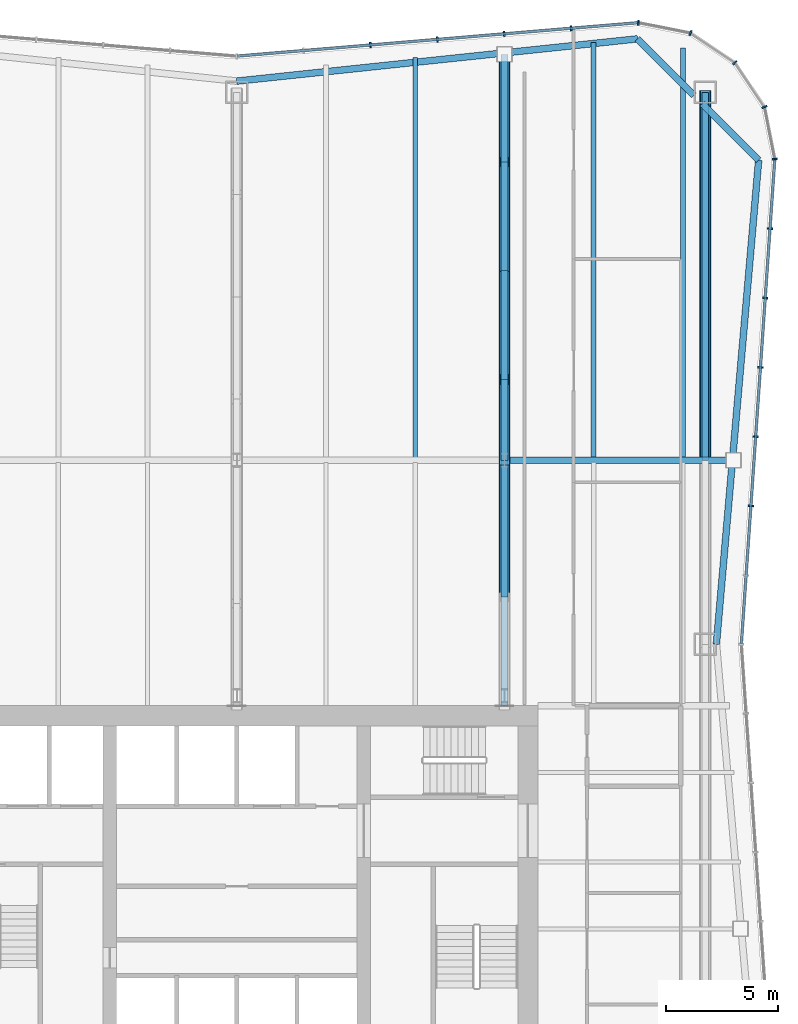
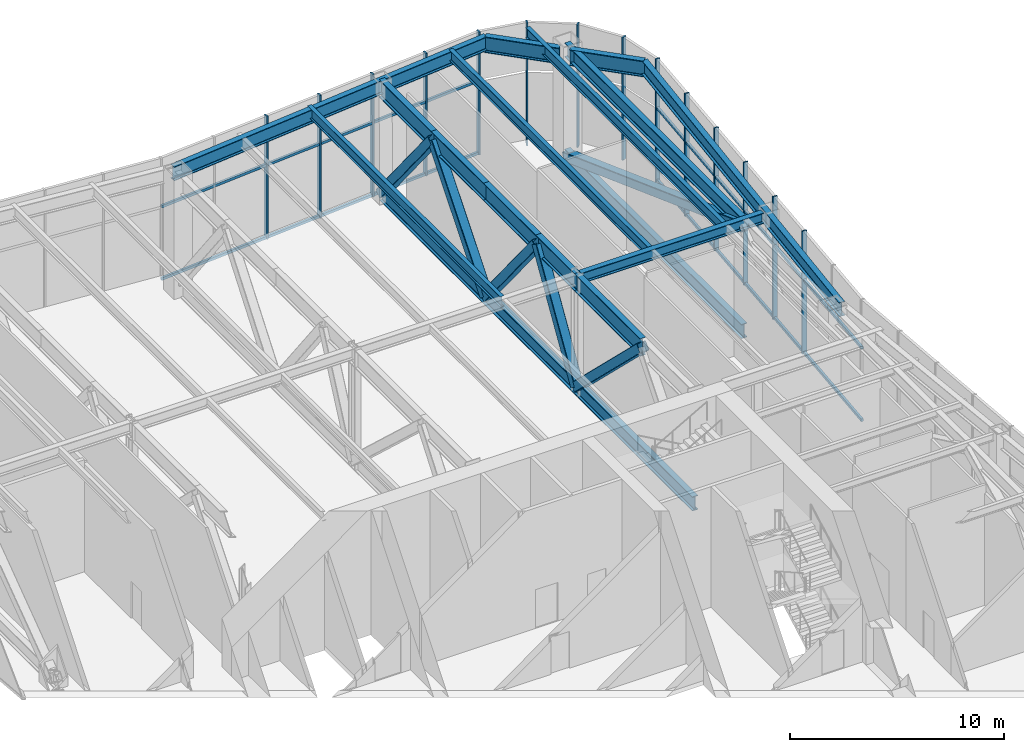
# One storey, part 6 of 14: 32 members, 8 beams, 3 elements without a shape of their own.
"""IFC4 building model written with IfcOpenShell, lengths in metres."""

from ifc_helpers import new_model, si_unit, direction, frame, origin, origin_2d, place, context, subcontext, project, spatial, rectangle, hollow_rectangle, i_section, extrude, material, material_profile, profile_set, type_object, element, aggregate, save


model = new_model("IFC4")

# Units and contexts
model_context = context("Model", 3, precision=1e-05, world=origin(), true_north=direction((0.0, 1.0)))
body_context = subcontext(model_context, "Body", "Model", "MODEL_VIEW")
ifc_project = project(units=[si_unit("LENGTHUNIT", "METRE"), si_unit("AREAUNIT", "SQUARE_METRE"), si_unit("VOLUMEUNIT", "CUBIC_METRE"), si_unit("PLANEANGLEUNIT", "RADIAN"), si_unit("MASSUNIT", "GRAM", prefix="KILO")], contexts=[model_context])

# Site, building, storey
site_placement = place(None, origin())
site = spatial("IfcSite", under=ifc_project, at=site_placement, CompositionType="ELEMENT")
building_placement = place(site_placement, origin())
building = spatial("IfcBuilding", under=site, at=building_placement, Name="Verdant Reach Tower", CompositionType="ELEMENT")
storey_placement = place(building_placement, frame((0.0, 0.0, 226.0)))
storey = spatial("IfcBuildingStorey", under=building, at=storey_placement, Name="L52 Plant", CompositionType="ELEMENT", Elevation=226.0)

# Curtain wall, members
ifc_material_1 = material(Name="Anodised aluminium", Category="aluminium")
curtain_wall_type = type_object("IfcCurtainWallType", Name="EN-CW SYSTEM PLANT", PredefinedType="NOTDEFINED", material=ifc_material_1)
curtain_wall_1_placement = place(storey_placement, origin())
curtain_wall_1 = element("IfcCurtainWall", 1, at=curtain_wall_1_placement, inside=storey, type_object=curtain_wall_type, Name="Curtain wall east, L52", PredefinedType="NOTDEFINED")
ifc_material_profile_1 = material_profile(ifc_material_1, rectangle(XDim=0.238037109375, YDim=0.080078125, at=origin_2d()), Name="Mullion 80x240")
ifc_profile_set_1 = profile_set([ifc_material_profile_1], Name="Anodised aluminium")
member_type_1 = type_object("IfcMemberType", Name="EN-MULLION PLANT", PredefinedType="MULLION", material=ifc_profile_set_1)
member_1_placement = place(storey_placement, frame((23.04736328125, 47.4560546875, -0.35009765625), z_axis=(0.0, 0.0, 1.0), x_axis=(0.997630328423, -0.068802091615, 0.0)))
member_1 = element("IfcMember", 2, at=member_1_placement, type_object=member_type_1, Name="Mullion east face part 2 3, L52", PredefinedType="MULLION", context=body_context, shape_type="SweptSolid", body=[
    extrude(rectangle(XDim=0.238037109375, YDim=0.080078125, at=origin_2d()), origin(), (0.0, 0.0, 1.0), 7.0),
])
member_2_placement = place(storey_placement, frame((23.261474609375, 50.563232421875, -0.35009765625), z_axis=(0.0, 0.0, 1.0), x_axis=(0.997630328423, -0.068802091615, 0.0)))
member_2 = element("IfcMember", 3, at=member_2_placement, type_object=member_type_1, Name="Mullion east face part 2 4, L52", PredefinedType="MULLION", context=body_context, shape_type="SweptSolid", body=[
    extrude(rectangle(XDim=0.238037109375, YDim=0.080078125, at=origin_2d()), origin(), (0.0, 0.0, 1.0), 7.0),
])
member_3_placement = place(storey_placement, frame((23.475830078125, 53.67041015625, -0.35009765625), z_axis=(0.0, 0.0, 1.0), x_axis=(0.997630328423, -0.068802091615, 0.0)))
member_3 = element("IfcMember", 4, at=member_3_placement, type_object=member_type_1, Name="Mullion east face part 2 5, L52", PredefinedType="MULLION", context=body_context, shape_type="SweptSolid", body=[
    extrude(rectangle(XDim=0.238037109375, YDim=0.080078125, at=origin_2d()), origin(), (0.0, 0.0, 1.0), 7.0),
])
member_4_placement = place(storey_placement, frame((23.690185546875, 56.777587890625, -0.35009765625), z_axis=(0.0, 0.0, 1.0), x_axis=(0.997630328423, -0.068802091615, 0.0)))
member_4 = element("IfcMember", 5, at=member_4_placement, type_object=member_type_1, Name="Mullion east face part 2 6, L52", PredefinedType="MULLION", context=body_context, shape_type="SweptSolid", body=[
    extrude(rectangle(XDim=0.238037109375, YDim=0.080078125, at=origin_2d()), origin(), (0.0, 0.0, 1.0), 7.0),
])
member_5_placement = place(storey_placement, frame((23.904541015625, 59.884765625, -0.35009765625), z_axis=(0.0, 0.0, 1.0), x_axis=(0.997630328423, -0.068802091615, 0.0)))
member_5 = element("IfcMember", 6, at=member_5_placement, type_object=member_type_1, Name="Mullion east face part 2 7, L52", PredefinedType="MULLION", context=body_context, shape_type="SweptSolid", body=[
    extrude(rectangle(XDim=0.238037109375, YDim=0.080078125, at=origin_2d()), origin(), (0.0, 0.0, 1.0), 7.0),
])

curtain_wall_2_placement = place(storey_placement, origin())
curtain_wall_2 = element("IfcCurtainWall", 7, at=curtain_wall_2_placement, inside=storey, type_object=curtain_wall_type, Name="Curtain wall north-east corner, L52", PredefinedType="NOTDEFINED")
member_6_placement = place(storey_placement, frame((24.11865234375, 63.007568359375, -0.35009765625), z_axis=(0.0, 0.0, 1.0), x_axis=(0.997969180898, 0.063698618332, 0.0)))
member_6 = element("IfcMember", 8, at=member_6_placement, type_object=member_type_1, Name="Mullion north-east corner 1, L52", PredefinedType="MULLION", context=body_context, shape_type="SweptSolid", body=[
    extrude(rectangle(XDim=0.238037109375, YDim=0.080078125, at=origin_2d()), origin(), (0.0, 0.0, 1.0), 7.0),
])
member_7_placement = place(storey_placement, frame((23.6533203125, 65.341552734375, -0.35009765625), z_axis=(0.0, 0.0, 1.0), x_axis=(0.923875215753, 0.382693853776, 0.0)))
member_7 = element("IfcMember", 9, at=member_7_placement, type_object=member_type_1, Name="Mullion north-east corner 2, L52", PredefinedType="MULLION", context=body_context, shape_type="SweptSolid", body=[
    extrude(rectangle(XDim=0.238037109375, YDim=0.080078125, at=origin_2d()), origin(), (0.0, 0.0, 1.0), 7.0),
])
member_8_placement = place(storey_placement, frame((22.32666015625, 67.32666015625, -0.35009765625), z_axis=(0.0, 0.0, 1.0), x_axis=(0.707106781187, 0.707106781187, 0.0)))
member_8 = element("IfcMember", 10, at=member_8_placement, type_object=member_type_1, Name="Mullion north-east corner 3, L52", PredefinedType="MULLION", context=body_context, shape_type="SweptSolid", body=[
    extrude(rectangle(XDim=0.238037109375, YDim=0.080078125, at=origin_2d()), origin(), (0.0, 0.0, 1.0), 7.0),
])
member_9_placement = place(storey_placement, frame((20.341552734375, 68.6533203125, -0.35009765625), z_axis=(0.0, 0.0, 1.0), x_axis=(0.382693853776, 0.923875215753, 0.0)))
member_9 = element("IfcMember", 11, at=member_9_placement, type_object=member_type_1, Name="Mullion north-east corner 4, L52", PredefinedType="MULLION", context=body_context, shape_type="SweptSolid", body=[
    extrude(rectangle(XDim=0.238037109375, YDim=0.080078125, at=origin_2d()), origin(), (0.0, 0.0, 1.0), 7.0),
])
aggregate(curtain_wall_2, [member_6, member_7, member_8, member_9])

curtain_wall_3_placement = place(storey_placement, origin())
curtain_wall_3 = element("IfcCurtainWall", 12, at=curtain_wall_3_placement, inside=storey, type_object=curtain_wall_type, Name="Curtain wall north, L52", PredefinedType="NOTDEFINED")
member_10_placement = place(storey_placement, frame((18.0068359375, 69.118896484375, -0.35009765625), z_axis=(0.0, 0.0, 1.0), x_axis=(0.056569187765, 0.998398681387, 0.0)))
member_10 = element("IfcMember", 13, at=member_10_placement, type_object=member_type_1, Name="Mullion north face part 1 1, L52", PredefinedType="MULLION", context=body_context, shape_type="SweptSolid", body=[
    extrude(rectangle(XDim=0.238037109375, YDim=0.080078125, at=origin_2d()), origin(), (0.0, 0.0, 1.0), 7.0),
])
member_11_placement = place(storey_placement, frame((14.990234375, 68.86865234375, -0.35009765625), z_axis=(0.0, 0.0, 1.0), x_axis=(-0.083045479859, 0.996545758244, 0.0)))
member_11 = element("IfcMember", 14, at=member_11_placement, type_object=member_type_1, Name="Mullion north face part 1 2, L52", PredefinedType="MULLION", context=body_context, shape_type="SweptSolid", body=[
    extrude(rectangle(XDim=0.238037109375, YDim=0.080078125, at=origin_2d()), origin(), (0.0, 0.0, 1.0), 7.0),
])
member_12_placement = place(storey_placement, frame((11.990234375, 68.61865234375, -0.35009765625), z_axis=(0.0, 0.0, 1.0), x_axis=(-0.083045479859, 0.996545758244, 0.0)))
member_12 = element("IfcMember", 15, at=member_12_placement, type_object=member_type_1, Name="Mullion north face part 1 3, L52", PredefinedType="MULLION", context=body_context, shape_type="SweptSolid", body=[
    extrude(rectangle(XDim=0.238037109375, YDim=0.080078125, at=origin_2d()), origin(), (0.0, 0.0, 1.0), 7.0),
])
member_13_placement = place(storey_placement, frame((8.990234375, 68.36865234375, -0.35009765625), z_axis=(0.0, 0.0, 1.0), x_axis=(-0.083045479859, 0.996545758244, 0.0)))
member_13 = element("IfcMember", 16, at=member_13_placement, type_object=member_type_1, Name="Mullion north face part 1 4, L52", PredefinedType="MULLION", context=body_context, shape_type="SweptSolid", body=[
    extrude(rectangle(XDim=0.238037109375, YDim=0.080078125, at=origin_2d()), origin(), (0.0, 0.0, 1.0), 7.0),
])
member_14_placement = place(storey_placement, frame((5.990234375, 68.11865234375, -0.35009765625), z_axis=(0.0, 0.0, 1.0), x_axis=(-0.083045479859, 0.996545758244, 0.0)))
member_14 = element("IfcMember", 17, at=member_14_placement, type_object=member_type_1, Name="Mullion north face part 1 5, L52", PredefinedType="MULLION", context=body_context, shape_type="SweptSolid", body=[
    extrude(rectangle(XDim=0.238037109375, YDim=0.080078125, at=origin_2d()), origin(), (0.0, 0.0, 1.0), 7.0),
])

# Member
ifc_material_profile_2 = material_profile(ifc_material_1, rectangle(XDim=0.1201171875, YDim=0.14990234375, at=origin_2d()), Name="Transom 150x120")
ifc_profile_set_2 = profile_set([ifc_material_profile_2], Name="Anodised aluminium")
member_type_2 = type_object("IfcMemberType", Name="EN-TRANSOM PLANT", PredefinedType="USERDEFINED", material=ifc_profile_set_2)
member_15_placement = place(storey_placement, frame((22.621826171875, 41.289794921875, -0.27490234375), z_axis=(0.068761218296, 0.997633146431, 0.0), x_axis=(-0.997633146431, 0.068761218296, 0.0)))
member_15 = element("IfcMember", 18, at=member_15_placement, type_object=member_type_2, Name="Transom east face part 2 1.1, L52", ObjectType="TRANSOM", PredefinedType="USERDEFINED", context=body_context, shape_type="SweptSolid", body=[
    extrude(rectangle(XDim=0.1201171875, YDim=0.14990234375, at=origin_2d()), origin(), (0.0, 0.0, 1.0), 21.7294921875),
])

member_16_placement = place(storey_placement, frame((22.621826171875, 41.289794921875, 3.85009765625), z_axis=(0.068761218296, 0.997633146431, 0.0), x_axis=(-0.997633146431, 0.068761218296, 0.0)))
member_16 = element("IfcMember", 19, at=member_16_placement, type_object=member_type_2, Name="Transom east face part 2 1.2, L52", ObjectType="TRANSOM", PredefinedType="USERDEFINED", context=body_context, shape_type="SweptSolid", body=[
    extrude(rectangle(XDim=0.1201171875, YDim=0.14990234375, at=origin_2d()), origin(), (0.0, 0.0, 1.0), 21.7294921875),
])

aggregate(curtain_wall_1, [member_1, member_2, member_3, member_4, member_5, member_15, member_16])

member_17_placement = place(storey_placement, frame((17.966796875, 69.115478515625, -0.27490234375), z_axis=(-0.996549220477, -0.083003922598, 0.0), x_axis=(0.083003922598, -0.996549220477, 0.0)))
member_17 = element("IfcMember", 20, at=member_17_placement, type_object=member_type_2, Name="Transom north face part 1 1.1, L52", ObjectType="TRANSOM", PredefinedType="USERDEFINED", context=body_context, shape_type="SweptSolid", body=[
    extrude(rectangle(XDim=0.1201171875, YDim=0.14990234375, at=origin_2d()), origin(), (0.0, 0.0, 1.0), 17.989013671875),
])

member_18_placement = place(storey_placement, frame((17.966796875, 69.115478515625, 3.85009765625), z_axis=(-0.996549220477, -0.083003922598, 0.0), x_axis=(0.083003922598, -0.996549220477, 0.0)))
member_18 = element("IfcMember", 21, at=member_18_placement, type_object=member_type_2, Name="Transom north face part 1 1.2, L52", ObjectType="TRANSOM", PredefinedType="USERDEFINED", context=body_context, shape_type="SweptSolid", body=[
    extrude(rectangle(XDim=0.1201171875, YDim=0.14990234375, at=origin_2d()), origin(), (0.0, 0.0, 1.0), 17.989013671875),
])

aggregate(curtain_wall_3, [member_10, member_11, member_12, member_13, member_14, member_17, member_18])

# Beams
ifc_material_2 = material(Name="Steel S355", Category="steel")
ifc_material_profile_3 = material_profile(ifc_material_2, i_section(OverallWidth=0.300048828125, OverallDepth=0.60009765625, WebThickness=0.015380859375, FlangeThickness=0.030029296875, FilletRadius=0.027099609375, at=origin_2d()), Name="HEB 600")
ifc_profile_set_3 = profile_set([ifc_material_profile_3], Name="Steel S355")
beam_type_1 = type_object("IfcBeamType", Name="ST-BEAM-HEB600", PredefinedType="BEAM", material=ifc_profile_set_3)
beam_1_placement = place(storey_placement, frame((12.152587890625, 49.5, 6.570068359375), z_axis=(1.0, 0.0, 0.0), x_axis=(0.0, 1.0, 0.0)))
element("IfcBeam", 22, at=beam_1_placement, inside=storey, type_object=beam_type_1, Name="Row girder, L52 Plant", PredefinedType="BEAM", context=body_context, shape_type="SweptSolid", body=[
    extrude(i_section(OverallWidth=0.300048828125, OverallDepth=0.60009765625, WebThickness=0.015380859375, FlangeThickness=0.030029296875, FilletRadius=0.027099609375, at=origin_2d()), origin(), (0.0, 0.0, 1.0), 9.8125),
])
ifc_material_profile_4 = material_profile(ifc_material_2, i_section(OverallWidth=0.219970703125, OverallDepth=0.60009765625, WebThickness=0.011962890625, FlangeThickness=0.01904296875, FilletRadius=0.02392578125, at=origin_2d()), Name="IPE 600")
ifc_profile_set_4 = profile_set([ifc_material_profile_4], Name="Steel S355")
beam_type_2 = type_object("IfcBeamType", Name="ST-JOIST-IPE600", PredefinedType="JOIST", material=ifc_profile_set_4)
beam_2_placement = place(storey_placement, frame((8.0, 49.60009765625, 6.570068359375), z_axis=(0.0, 1.0, 0.0), x_axis=(-1.0, 0.0, 0.0)))
element("IfcBeam", 23, at=beam_2_placement, inside=storey, type_object=beam_type_2, Name="Floor joist, L52 Plant", PredefinedType="JOIST", context=body_context, shape_type="SweptSolid", body=[
    extrude(i_section(OverallWidth=0.219970703125, OverallDepth=0.60009765625, WebThickness=0.011962890625, FlangeThickness=0.01904296875, FilletRadius=0.02392578125, at=origin_2d()), origin(), (0.0, 0.0, 1.0), 17.964599609375),
])
beam_3_placement = place(storey_placement, frame((16.0, 49.60009765625, 6.570068359375), z_axis=(0.0, 1.0, 0.0), x_axis=(-1.0, 0.0, 0.0)))
element("IfcBeam", 24, at=beam_3_placement, inside=storey, type_object=beam_type_2, Name="Floor joist, L52 Plant", PredefinedType="JOIST", context=body_context, shape_type="SweptSolid", body=[
    extrude(i_section(OverallWidth=0.219970703125, OverallDepth=0.60009765625, WebThickness=0.011962890625, FlangeThickness=0.01904296875, FilletRadius=0.02392578125, at=origin_2d()), origin(), (0.0, 0.0, 1.0), 18.631103515625),
])
beam_4_placement = place(storey_placement, frame((20.0, 49.60009765625, 6.570068359375), z_axis=(0.0, 1.0, 0.0), x_axis=(-1.0, 0.0, 0.0)))
element("IfcBeam", 25, at=beam_4_placement, inside=storey, type_object=beam_type_2, Name="Floor joist, L52 Plant", PredefinedType="JOIST", context=body_context, shape_type="SweptSolid", body=[
    extrude(i_section(OverallWidth=0.219970703125, OverallDepth=0.60009765625, WebThickness=0.011962890625, FlangeThickness=0.01904296875, FilletRadius=0.02392578125, at=origin_2d()), origin(), (0.0, 0.0, 1.0), 18.390380859375),
])
ifc_material_profile_5 = material_profile(ifc_material_2, i_section(OverallWidth=0.300048828125, OverallDepth=0.800048828125, WebThickness=0.017578125, FlangeThickness=0.032958984375, FilletRadius=0.030029296875, at=origin_2d()), Name="HEB 800")
ifc_profile_set_5 = profile_set([ifc_material_profile_5], Name="Steel S355")
beam_type_3 = type_object("IfcBeamType", Name="ST-SPANDREL-HEB800", PredefinedType="SPANDREL", material=ifc_profile_set_5)
beam_5_placement = place(storey_placement, frame((0.0, 66.5, 6.469970703125), z_axis=(0.994483067002, 0.104897232783, 0.0), x_axis=(-0.104897232783, 0.994483067002, 0.0)))
element("IfcBeam", 26, at=beam_5_placement, inside=storey, type_object=beam_type_3, Name="Edge beam, L52 Plant", PredefinedType="SPANDREL", context=body_context, shape_type="SweptSolid", body=[
    extrude(i_section(OverallWidth=0.300048828125, OverallDepth=0.800048828125, WebThickness=0.017578125, FlangeThickness=0.032958984375, FilletRadius=0.030029296875, at=origin_2d()), origin(), (0.0, 0.0, 1.0), 18.0654296875),
])
beam_6_placement = place(storey_placement, frame((23.39599609375, 62.96142578125, 6.469970703125), z_axis=(-0.086996024331, -0.996208658741, 0.0), x_axis=(0.996208658741, -0.086996024331, 0.0)))
element("IfcBeam", 27, at=beam_6_placement, inside=storey, type_object=beam_type_3, Name="Edge beam, L52 Plant", PredefinedType="SPANDREL", context=body_context, shape_type="SweptSolid", body=[
    extrude(i_section(OverallWidth=0.300048828125, OverallDepth=0.800048828125, WebThickness=0.017578125, FlangeThickness=0.032958984375, FilletRadius=0.030029296875, at=origin_2d()), origin(), (0.0, 0.0, 1.0), 21.7939453125),
])
ifc_material_profile_6 = material_profile(ifc_material_2, i_section(OverallWidth=0.302001953125, OverallDepth=0.909912109375, WebThickness=0.02099609375, FlangeThickness=0.0400390625, FilletRadius=0.030029296875, at=origin_2d()), Name="HEM 900")
ifc_profile_set_6 = profile_set([ifc_material_profile_6], Name="Steel S355")
beam_type_4 = type_object("IfcBeamType", Name="ST-SPANDREL-HEM900", PredefinedType="SPANDREL", material=ifc_profile_set_6)
beam_7_placement = place(storey_placement, frame((17.9658203125, 68.39501953125, 6.4150390625), z_axis=(0.706868394255, -0.707345087777, 0.0), x_axis=(0.707345087777, 0.706868394255, 0.0)))
element("IfcBeam", 28, at=beam_7_placement, inside=storey, type_object=beam_type_4, Name="Edge beam, L52 Plant", PredefinedType="SPANDREL", context=body_context, shape_type="SweptSolid", body=[
    extrude(i_section(OverallWidth=0.302001953125, OverallDepth=0.909912109375, WebThickness=0.02099609375, FlangeThickness=0.0400390625, FilletRadius=0.030029296875, at=origin_2d()), origin(), (0.0, 0.0, 1.0), 3.5849609375),
])
beam_8_placement = place(storey_placement, frame((20.85888671875, 65.5, 6.4150390625), z_axis=(0.706902680526, -0.707310822952, 0.0), x_axis=(0.707310822952, 0.706902680526, 0.0)))
element("IfcBeam", 29, at=beam_8_placement, inside=storey, type_object=beam_type_4, Name="Edge beam, L52 Plant", PredefinedType="SPANDREL", context=body_context, shape_type="SweptSolid", body=[
    extrude(i_section(OverallWidth=0.302001953125, OverallDepth=0.909912109375, WebThickness=0.02099609375, FlangeThickness=0.0400390625, FilletRadius=0.030029296875, at=origin_2d()), origin(), (0.0, 0.0, 1.0), 3.589111328125),
])

# Members
ifc_material_3 = material(Name="Steel S460", Category="steel")
ifc_material_profile_7 = material_profile(ifc_material_3, hollow_rectangle(XDim=0.5, YDim=0.5, WallThickness=0.02490234375, InnerFilletRadius=0.02490234375, OuterFilletRadius=0.050048828125, at=origin_2d()), Name="RHS 500x500x25")
ifc_profile_set_7 = profile_set([ifc_material_profile_7], Name="Steel S460")
member_type_3 = type_object("IfcMemberType", Name="ST-TRUSS-BRACE-RHS500x500x25", PredefinedType="BRACE", material=ifc_profile_set_7)
member_19_placement = place(storey_placement, frame((12.0, 43.374755859375, 6.365966796875), z_axis=(0.0, 0.716767609279, -0.69731212114), x_axis=(-1.0, 0.0, 0.0)))
element("IfcMember", 30, at=member_19_placement, inside=storey, type_object=member_type_3, Name="Belt truss E north, diagonal, L52 Plant", PredefinedType="BRACE", context=body_context, shape_type="SweptSolid", body=[
    extrude(hollow_rectangle(XDim=0.5, YDim=0.5, WallThickness=0.02490234375, InnerFilletRadius=0.02490234375, OuterFilletRadius=0.050048828125, at=origin_2d()), origin(), (0.0, 0.0, 1.0), 8.545654296875),
])
member_20_placement = place(storey_placement, frame((12.0, 49.5, 0.406982421875), z_axis=(0.0, 0.519664861187, 0.854370196137), x_axis=(-1.0, 0.0, 0.0)))
element("IfcMember", 31, at=member_20_placement, inside=storey, type_object=member_type_3, Name="Belt truss E north, diagonal, L52 Plant", PredefinedType="BRACE", context=body_context, shape_type="SweptSolid", body=[
    extrude(hollow_rectangle(XDim=0.5, YDim=0.5, WallThickness=0.02490234375, InnerFilletRadius=0.02490234375, OuterFilletRadius=0.050048828125, at=origin_2d()), origin(), (0.0, 0.0, 1.0), 6.974609375),
])
member_21_placement = place(storey_placement, frame((12.0, 53.12451171875, 6.365966796875), z_axis=(0.0, 0.630640504827, -0.776075095382), x_axis=(-1.0, 0.0, 0.0)))
element("IfcMember", 32, at=member_21_placement, inside=storey, type_object=member_type_3, Name="Belt truss E north, diagonal, L52 Plant", PredefinedType="BRACE", context=body_context, shape_type="SweptSolid", body=[
    extrude(hollow_rectangle(XDim=0.5, YDim=0.5, WallThickness=0.02490234375, InnerFilletRadius=0.02490234375, OuterFilletRadius=0.050048828125, at=origin_2d()), origin(), (0.0, 0.0, 1.0), 7.678466796875),
])
member_22_placement = place(storey_placement, frame((12.0, 57.966796875, 0.406982421875), z_axis=(0.0, 0.635693950047, 0.771941190684), x_axis=(-1.0, 0.0, 0.0)))
element("IfcMember", 33, at=member_22_placement, inside=storey, type_object=member_type_3, Name="Belt truss E north, diagonal, L52 Plant", PredefinedType="BRACE", context=body_context, shape_type="SweptSolid", body=[
    extrude(hollow_rectangle(XDim=0.5, YDim=0.5, WallThickness=0.02490234375, InnerFilletRadius=0.02490234375, OuterFilletRadius=0.050048828125, at=origin_2d()), origin(), (0.0, 0.0, 1.0), 7.719482421875),
])
member_23_placement = place(storey_placement, frame((12.0, 62.8740234375, 6.365966796875), z_axis=(0.0, 0.629374063131, -0.777102495594), x_axis=(-1.0, 0.0, 0.0)))
element("IfcMember", 34, at=member_23_placement, inside=storey, type_object=member_type_3, Name="Belt truss E north, diagonal, L52 Plant", PredefinedType="BRACE", context=body_context, shape_type="SweptSolid", body=[
    extrude(hollow_rectangle(XDim=0.5, YDim=0.5, WallThickness=0.02490234375, InnerFilletRadius=0.02490234375, OuterFilletRadius=0.050048828125, at=origin_2d()), origin(), (0.0, 0.0, 1.0), 7.668212890625),
])
member_24_placement = place(storey_placement, frame((21.0, 49.5, 6.462890625), z_axis=(0.0, 0.93876762212, -0.344550942038), x_axis=(-1.0, 0.0, 0.0)))
element("IfcMember", 35, at=member_24_placement, inside=storey, type_object=member_type_3, Name="Belt truss F east, diagonal, L52 Plant", PredefinedType="BRACE", context=body_context, shape_type="SweptSolid", body=[
    extrude(hollow_rectangle(XDim=0.5, YDim=0.5, WallThickness=0.02490234375, InnerFilletRadius=0.02490234375, OuterFilletRadius=0.050048828125, at=origin_2d()), origin(), (0.0, 0.0, 1.0), 17.576171875),
])
ifc_material_profile_8 = material_profile(ifc_material_3, i_section(OverallWidth=0.302001953125, OverallDepth=1.008056640625, WebThickness=0.02099609375, FlangeThickness=0.0400390625, FilletRadius=0.030029296875, at=origin_2d()), Name="HEM 1000")
ifc_profile_set_8 = profile_set([ifc_material_profile_8], Name="Steel S460")
member_type_4 = type_object("IfcMemberType", Name="ST-TRUSS-CHORD-HEM1000", PredefinedType="CHORD", material=ifc_profile_set_8)
member_25_placement = place(storey_placement, frame((12.0, 43.374755859375, 6.365966796875), z_axis=(0.0, 1.0, 0.0), x_axis=(-1.0, 0.0, 0.0)))
element("IfcMember", 36, at=member_25_placement, inside=storey, type_object=member_type_4, Name="Belt truss E north, top chord, L52 Plant", PredefinedType="CHORD", context=body_context, shape_type="SweptSolid", body=[
    extrude(i_section(OverallWidth=0.302001953125, OverallDepth=1.008056640625, WebThickness=0.02099609375, FlangeThickness=0.0400390625, FilletRadius=0.030029296875, at=origin_2d()), origin(), (0.0, 0.0, 1.0), 6.125244140625),
])
member_26_placement = place(storey_placement, frame((12.0, 49.5, 6.365966796875), z_axis=(0.0, 1.0, 0.0), x_axis=(-1.0, 0.0, 0.0)))
element("IfcMember", 37, at=member_26_placement, inside=storey, type_object=member_type_4, Name="Belt truss E north, top chord, L52 Plant", PredefinedType="CHORD", context=body_context, shape_type="SweptSolid", body=[
    extrude(i_section(OverallWidth=0.302001953125, OverallDepth=1.008056640625, WebThickness=0.02099609375, FlangeThickness=0.0400390625, FilletRadius=0.030029296875, at=origin_2d()), origin(), (0.0, 0.0, 1.0), 3.62451171875),
])
for number, where, z_axis, x_axis, name in (
    (38, (12.0, 53.12451171875, 6.365966796875), (0.0, 1.0, 0.0), (-1.0, 0.0, 0.0), "Belt truss E north, top chord, L52 Plant"),
    (39, (12.0, 57.999267578125, 6.365966796875), (0.0, 1.0, 0.0), (-1.0, 0.0, 0.0), "Belt truss E north, top chord, L52 Plant"),
    (40, (12.0, 62.8740234375, 6.365966796875), (0.0, 1.0, 0.0), (-1.0, 0.0, 0.0), "Belt truss E north, top chord, L52 Plant"),
):
    element("IfcMember", number, at=place(storey_placement, frame(where, z_axis=z_axis, x_axis=x_axis)), inside=storey, type_object=member_type_4, Name=name, PredefinedType="CHORD", context=body_context, shape_type="SweptSolid", body=[
        extrude(i_section(OverallWidth=0.302001953125, OverallDepth=1.008056640625, WebThickness=0.02099609375, FlangeThickness=0.0400390625, FilletRadius=0.030029296875, at=origin_2d()), origin(), (0.0, 0.0, 1.0), 4.874755859375),
    ])
ifc_material_profile_9 = material_profile(ifc_material_3, i_section(OverallWidth=0.302978515625, OverallDepth=0.81396484375, WebThickness=0.02099609375, FlangeThickness=0.0400390625, FilletRadius=0.030029296875, at=origin_2d()), Name="HEM 800")
ifc_profile_set_9 = profile_set([ifc_material_profile_9], Name="Steel S460")
member_type_5 = type_object("IfcMemberType", Name="ST-TRUSS-CHORD-HEM800", PredefinedType="CHORD", material=ifc_profile_set_9)
member_27_placement = place(storey_placement, frame((12.0, 38.5, 0.406982421875), z_axis=(0.0, 1.0, 0.0), x_axis=(-1.0, 0.0, 0.0)))
element("IfcMember", 41, at=member_27_placement, inside=storey, type_object=member_type_5, Name="Belt truss E north, bottom chord, L52 Plant", PredefinedType="CHORD", context=body_context, shape_type="SweptSolid", body=[
    extrude(i_section(OverallWidth=0.302978515625, OverallDepth=0.81396484375, WebThickness=0.02099609375, FlangeThickness=0.0400390625, FilletRadius=0.030029296875, at=origin_2d()), origin(), (0.0, 0.0, 1.0), 29.2001953125),
])
for number, where, z_axis, x_axis, name in (
    (42, (21.0, 49.5, 6.462890625), (0.0, 1.0, 0.0), (-1.0, 0.0, 0.0), "Belt truss F east, top chord, L52 Plant"),
    (43, (21.0, 49.5, 0.406982421875), (0.0, 1.0, 0.0), (-1.0, 0.0, 0.0), "Belt truss F east, bottom chord, L52 Plant"),
):
    element("IfcMember", number, at=place(storey_placement, frame(where, z_axis=z_axis, x_axis=x_axis)), inside=storey, type_object=member_type_5, Name=name, PredefinedType="CHORD", context=body_context, shape_type="SweptSolid", body=[
        extrude(i_section(OverallWidth=0.302978515625, OverallDepth=0.81396484375, WebThickness=0.02099609375, FlangeThickness=0.0400390625, FilletRadius=0.030029296875, at=origin_2d()), origin(), (0.0, 0.0, 1.0), 16.5),
    ])

save(model, "model.ifc")
